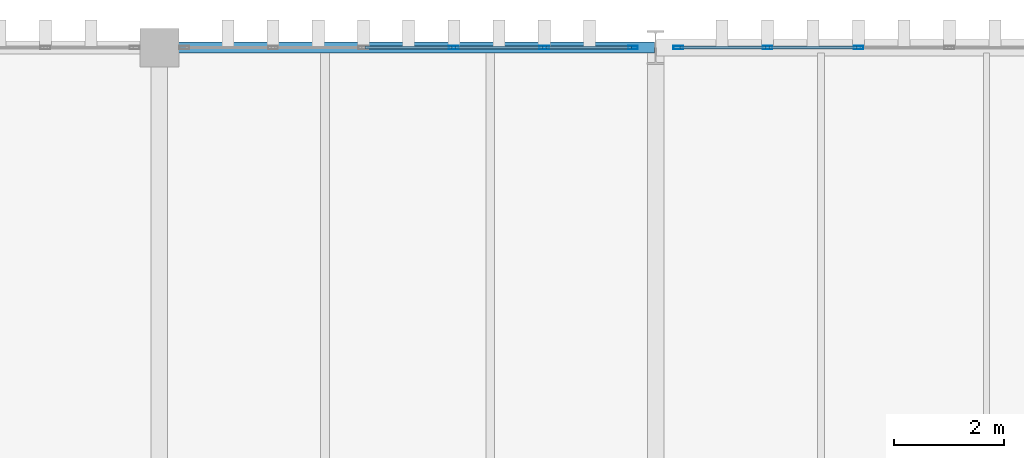
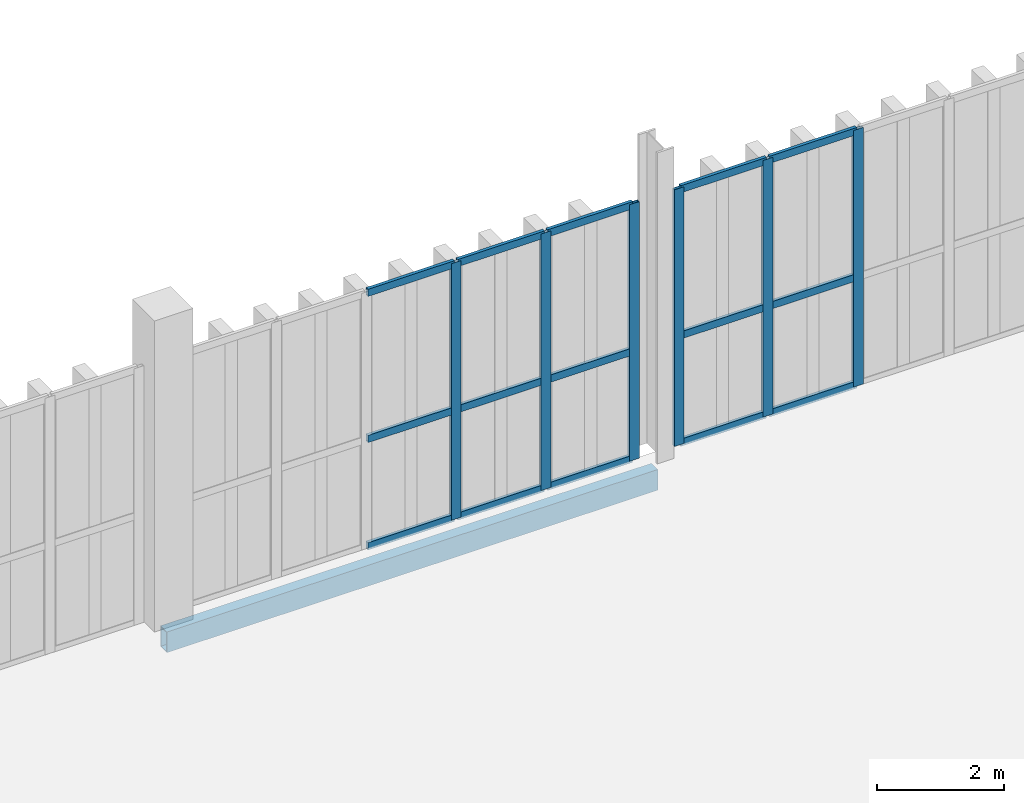
# One storey, part 145 of 211: 21 members, 1 beam, 2 elements without a shape of their own.
"""IFC4 building model written with IfcOpenShell, lengths in metres."""

from ifc_helpers import new_model, si_unit, direction, frame, origin, origin_2d, place, context, subcontext, project, spatial, hollow_rectangle, extrude, material, layer, layer_set, material_profile, profile_set, type_object, element, aggregate, save


model = new_model("IFC4")

# Units and contexts
model_context = context("Model", 3, precision=1e-05, world=origin(), true_north=direction((0.0, 1.0)))
body_context = subcontext(model_context, "Body", "Model", "MODEL_VIEW")
ifc_project = project(units=[si_unit("LENGTHUNIT", "METRE"), si_unit("AREAUNIT", "SQUARE_METRE"), si_unit("VOLUMEUNIT", "CUBIC_METRE"), si_unit("PLANEANGLEUNIT", "RADIAN"), si_unit("MASSUNIT", "GRAM", prefix="KILO")], contexts=[model_context])

# Site, building, storey
site_placement = place(None, origin())
site = spatial("IfcSite", under=ifc_project, at=site_placement, CompositionType="ELEMENT")
building_placement = place(site_placement, origin())
building = spatial("IfcBuilding", under=site, at=building_placement, Name="Barlavento Convention Centre", CompositionType="ELEMENT")
storey_placement = place(building_placement, frame((0.0, 0.0, 6.0)))
storey = spatial("IfcBuildingStorey", under=building, at=storey_placement, Name="L01", CompositionType="ELEMENT", Elevation=6.0)

# Curtain wall, members
ifc_material_1 = material(Name="Powder-coated aluminium and Low-E glass", Category="aluminium")
ifc_layer = layer(ifc_material_1, 0.179931640625)
ifc_layer_set = layer_set([ifc_layer], Name="ARC-CW-EXH-L01")
curtain_wall_type = type_object("IfcCurtainWallType", Name="ARC-CW-EXH-L01", PredefinedType="NOTDEFINED", material=ifc_layer_set)
curtain_wall_1_placement = place(storey_placement, origin())
curtain_wall_1 = element("IfcCurtainWall", 1, at=curtain_wall_1_placement, inside=storey, type_object=curtain_wall_type, Name="L01 unitised curtain wall CW04", PredefinedType="NOTDEFINED")
ifc_material_2 = material(Name="Powder-coated aluminium", Category="aluminium")
ifc_material_profile_1 = material_profile(ifc_material_2, hollow_rectangle(XDim=0.06005859375, YDim=0.179931640625, WallThickness=0.0048828125, at=origin_2d()), Name="AL-MULL 60x180x5")
ifc_profile_set_1 = profile_set([ifc_material_profile_1], Name="Powder-coated aluminium")
member_type_1 = type_object("IfcMemberType", Name="ARC-CWM-60X180", PredefinedType="MULLION", material=ifc_profile_set_1)
member_1_placement = place(storey_placement, frame((86.340087890625, 135.0, 0.0), z_axis=(0.0, 0.0, 1.0), x_axis=(0.0, 1.0, 0.0)))
member_1 = element("IfcMember", 2, at=member_1_placement, type_object=member_type_1, Name="CW04 mullion 4", PredefinedType="MULLION", context=body_context, shape_type="SweptSolid", body=[
    extrude(hollow_rectangle(XDim=0.06005859375, YDim=0.179931640625, WallThickness=0.0048828125, at=origin_2d()), origin(), (0.0, 0.0, 1.0), 4.949951171875),
])
member_2_placement = place(storey_placement, frame((87.97998046875, 135.0, 0.0), z_axis=(0.0, 0.0, 1.0), x_axis=(0.0, 1.0, 0.0)))
member_2 = element("IfcMember", 3, at=member_2_placement, type_object=member_type_1, Name="CW04 mullion 5", PredefinedType="MULLION", context=body_context, shape_type="SweptSolid", body=[
    extrude(hollow_rectangle(XDim=0.06005859375, YDim=0.179931640625, WallThickness=0.0048828125, at=origin_2d()), origin(), (0.0, 0.0, 1.0), 4.949951171875),
])
member_3_placement = place(storey_placement, frame((89.590087890625, 135.0, 0.0), z_axis=(0.0, 0.0, 1.0), x_axis=(0.0, 1.0, 0.0)))
member_3 = element("IfcMember", 4, at=member_3_placement, type_object=member_type_1, Name="CW04 mullion 6", PredefinedType="MULLION", context=body_context, shape_type="SweptSolid", body=[
    extrude(hollow_rectangle(XDim=0.06005859375, YDim=0.179931640625, WallThickness=0.0048828125, at=origin_2d()), origin(), (0.0, 0.0, 1.0), 4.949951171875),
])

curtain_wall_2_placement = place(storey_placement, origin())
curtain_wall_2 = element("IfcCurtainWall", 5, at=curtain_wall_2_placement, inside=storey, type_object=curtain_wall_type, Name="L01 unitised curtain wall CW04", PredefinedType="NOTDEFINED")
member_4_placement = place(storey_placement, frame((90.409912109375, 135.0, 0.0), z_axis=(0.0, 0.0, 1.0), x_axis=(0.0, 1.0, 0.0)))
member_4 = element("IfcMember", 6, at=member_4_placement, type_object=member_type_1, Name="CW04 mullion 1", PredefinedType="MULLION", context=body_context, shape_type="SweptSolid", body=[
    extrude(hollow_rectangle(XDim=0.06005859375, YDim=0.179931640625, WallThickness=0.0048828125, at=origin_2d()), origin(), (0.0, 0.0, 1.0), 4.949951171875),
])
member_5_placement = place(storey_placement, frame((92.030029296875, 135.0, 0.0), z_axis=(0.0, 0.0, 1.0), x_axis=(0.0, 1.0, 0.0)))
member_5 = element("IfcMember", 7, at=member_5_placement, type_object=member_type_1, Name="CW04 mullion 2", PredefinedType="MULLION", context=body_context, shape_type="SweptSolid", body=[
    extrude(hollow_rectangle(XDim=0.06005859375, YDim=0.179931640625, WallThickness=0.0048828125, at=origin_2d()), origin(), (0.0, 0.0, 1.0), 4.949951171875),
])
member_6_placement = place(storey_placement, frame((93.679931640625, 135.0, 0.0), z_axis=(0.0, 0.0, 1.0), x_axis=(0.0, 1.0, 0.0)))
member_6 = element("IfcMember", 8, at=member_6_placement, type_object=member_type_1, Name="CW04 mullion 3", PredefinedType="MULLION", context=body_context, shape_type="SweptSolid", body=[
    extrude(hollow_rectangle(XDim=0.06005859375, YDim=0.179931640625, WallThickness=0.0048828125, at=origin_2d()), origin(), (0.0, 0.0, 1.0), 4.949951171875),
])

# Member
ifc_material_profile_2 = material_profile(ifc_material_2, hollow_rectangle(XDim=0.06005859375, YDim=0.139892578125, WallThickness=0.00390625, at=origin_2d()), Name="AL-TRAN 60x140x4")
ifc_profile_set_2 = profile_set([ifc_material_profile_2], Name="Powder-coated aluminium")
member_type_2 = type_object("IfcMemberType", Name="ARC-CWT-60X140", PredefinedType="USERDEFINED", material=ifc_profile_set_2)
member_7_placement = place(storey_placement, frame((84.72998046875, 135.0, 0.030029296875), z_axis=(1.0, 0.0, 0.0), x_axis=(0.0, 1.0, 0.0)))
member_7 = element("IfcMember", 9, at=member_7_placement, type_object=member_type_2, Name="CW04 transom 3.1", ObjectType="TRANSOM", PredefinedType="USERDEFINED", context=body_context, shape_type="SweptSolid", body=[
    extrude(hollow_rectangle(XDim=0.06005859375, YDim=0.139892578125, WallThickness=0.00390625, at=origin_2d()), origin(), (0.0, 0.0, 1.0), 1.580078125),
])

member_8_placement = place(storey_placement, frame((84.72998046875, 135.0, 2.10009765625), z_axis=(1.0, 0.0, 0.0), x_axis=(0.0, 1.0, 0.0)))
member_8 = element("IfcMember", 10, at=member_8_placement, type_object=member_type_2, Name="CW04 transom 3.2", ObjectType="TRANSOM", PredefinedType="USERDEFINED", context=body_context, shape_type="SweptSolid", body=[
    extrude(hollow_rectangle(XDim=0.06005859375, YDim=0.139892578125, WallThickness=0.00390625, at=origin_2d()), origin(), (0.0, 0.0, 1.0), 1.580078125),
])

member_9_placement = place(storey_placement, frame((84.72998046875, 135.0, 4.919921875), z_axis=(1.0, 0.0, 0.0), x_axis=(0.0, 1.0, 0.0)))
member_9 = element("IfcMember", 11, at=member_9_placement, type_object=member_type_2, Name="CW04 transom 3.3", ObjectType="TRANSOM", PredefinedType="USERDEFINED", context=body_context, shape_type="SweptSolid", body=[
    extrude(hollow_rectangle(XDim=0.06005859375, YDim=0.139892578125, WallThickness=0.00390625, at=origin_2d()), origin(), (0.0, 0.0, 1.0), 1.580078125),
])

member_10_placement = place(storey_placement, frame((86.3701171875, 135.0, 0.030029296875), z_axis=(1.0, 0.0, 0.0), x_axis=(0.0, 1.0, 0.0)))
member_10 = element("IfcMember", 12, at=member_10_placement, type_object=member_type_2, Name="CW04 transom 4.1", ObjectType="TRANSOM", PredefinedType="USERDEFINED", context=body_context, shape_type="SweptSolid", body=[
    extrude(hollow_rectangle(XDim=0.06005859375, YDim=0.139892578125, WallThickness=0.00390625, at=origin_2d()), origin(), (0.0, 0.0, 1.0), 1.579833984375),
])

member_11_placement = place(storey_placement, frame((86.3701171875, 135.0, 2.10009765625), z_axis=(1.0, 0.0, 0.0), x_axis=(0.0, 1.0, 0.0)))
member_11 = element("IfcMember", 13, at=member_11_placement, type_object=member_type_2, Name="CW04 transom 4.2", ObjectType="TRANSOM", PredefinedType="USERDEFINED", context=body_context, shape_type="SweptSolid", body=[
    extrude(hollow_rectangle(XDim=0.06005859375, YDim=0.139892578125, WallThickness=0.00390625, at=origin_2d()), origin(), (0.0, 0.0, 1.0), 1.579833984375),
])

member_12_placement = place(storey_placement, frame((86.3701171875, 135.0, 4.919921875), z_axis=(1.0, 0.0, 0.0), x_axis=(0.0, 1.0, 0.0)))
member_12 = element("IfcMember", 14, at=member_12_placement, type_object=member_type_2, Name="CW04 transom 4.3", ObjectType="TRANSOM", PredefinedType="USERDEFINED", context=body_context, shape_type="SweptSolid", body=[
    extrude(hollow_rectangle(XDim=0.06005859375, YDim=0.139892578125, WallThickness=0.00390625, at=origin_2d()), origin(), (0.0, 0.0, 1.0), 1.579833984375),
])

member_13_placement = place(storey_placement, frame((88.010009765625, 135.0, 0.030029296875), z_axis=(1.0, 0.0, 0.0), x_axis=(0.0, 1.0, 0.0)))
member_13 = element("IfcMember", 15, at=member_13_placement, type_object=member_type_2, Name="CW04 transom 5.1", ObjectType="TRANSOM", PredefinedType="USERDEFINED", context=body_context, shape_type="SweptSolid", body=[
    extrude(hollow_rectangle(XDim=0.06005859375, YDim=0.139892578125, WallThickness=0.00390625, at=origin_2d()), origin(), (0.0, 0.0, 1.0), 1.550048828125),
])

member_14_placement = place(storey_placement, frame((88.010009765625, 135.0, 2.10009765625), z_axis=(1.0, 0.0, 0.0), x_axis=(0.0, 1.0, 0.0)))
member_14 = element("IfcMember", 16, at=member_14_placement, type_object=member_type_2, Name="CW04 transom 5.2", ObjectType="TRANSOM", PredefinedType="USERDEFINED", context=body_context, shape_type="SweptSolid", body=[
    extrude(hollow_rectangle(XDim=0.06005859375, YDim=0.139892578125, WallThickness=0.00390625, at=origin_2d()), origin(), (0.0, 0.0, 1.0), 1.550048828125),
])

member_15_placement = place(storey_placement, frame((88.010009765625, 135.0, 4.919921875), z_axis=(1.0, 0.0, 0.0), x_axis=(0.0, 1.0, 0.0)))
member_15 = element("IfcMember", 17, at=member_15_placement, type_object=member_type_2, Name="CW04 transom 5.3", ObjectType="TRANSOM", PredefinedType="USERDEFINED", context=body_context, shape_type="SweptSolid", body=[
    extrude(hollow_rectangle(XDim=0.06005859375, YDim=0.139892578125, WallThickness=0.00390625, at=origin_2d()), origin(), (0.0, 0.0, 1.0), 1.550048828125),
])

aggregate(curtain_wall_1, [member_1, member_2, member_3, member_7, member_8, member_9, member_10, member_11, member_12, member_13, member_14, member_15])

member_16_placement = place(storey_placement, frame((90.43994140625, 135.0, 0.030029296875), z_axis=(1.0, 0.0, 0.0), x_axis=(0.0, 1.0, 0.0)))
member_16 = element("IfcMember", 18, at=member_16_placement, type_object=member_type_2, Name="CW04 transom 1.1", ObjectType="TRANSOM", PredefinedType="USERDEFINED", context=body_context, shape_type="SweptSolid", body=[
    extrude(hollow_rectangle(XDim=0.06005859375, YDim=0.139892578125, WallThickness=0.00390625, at=origin_2d()), origin(), (0.0, 0.0, 1.0), 1.56005859375),
])

member_17_placement = place(storey_placement, frame((90.43994140625, 135.0, 2.10009765625), z_axis=(1.0, 0.0, 0.0), x_axis=(0.0, 1.0, 0.0)))
member_17 = element("IfcMember", 19, at=member_17_placement, type_object=member_type_2, Name="CW04 transom 1.2", ObjectType="TRANSOM", PredefinedType="USERDEFINED", context=body_context, shape_type="SweptSolid", body=[
    extrude(hollow_rectangle(XDim=0.06005859375, YDim=0.139892578125, WallThickness=0.00390625, at=origin_2d()), origin(), (0.0, 0.0, 1.0), 1.56005859375),
])

member_18_placement = place(storey_placement, frame((90.43994140625, 135.0, 4.919921875), z_axis=(1.0, 0.0, 0.0), x_axis=(0.0, 1.0, 0.0)))
member_18 = element("IfcMember", 20, at=member_18_placement, type_object=member_type_2, Name="CW04 transom 1.3", ObjectType="TRANSOM", PredefinedType="USERDEFINED", context=body_context, shape_type="SweptSolid", body=[
    extrude(hollow_rectangle(XDim=0.06005859375, YDim=0.139892578125, WallThickness=0.00390625, at=origin_2d()), origin(), (0.0, 0.0, 1.0), 1.56005859375),
])

member_19_placement = place(storey_placement, frame((92.06005859375, 135.0, 0.030029296875), z_axis=(1.0, 0.0, 0.0), x_axis=(0.0, 1.0, 0.0)))
member_19 = element("IfcMember", 21, at=member_19_placement, type_object=member_type_2, Name="CW04 transom 2.1", ObjectType="TRANSOM", PredefinedType="USERDEFINED", context=body_context, shape_type="SweptSolid", body=[
    extrude(hollow_rectangle(XDim=0.06005859375, YDim=0.139892578125, WallThickness=0.00390625, at=origin_2d()), origin(), (0.0, 0.0, 1.0), 1.58984375),
])

member_20_placement = place(storey_placement, frame((92.06005859375, 135.0, 2.10009765625), z_axis=(1.0, 0.0, 0.0), x_axis=(0.0, 1.0, 0.0)))
member_20 = element("IfcMember", 22, at=member_20_placement, type_object=member_type_2, Name="CW04 transom 2.2", ObjectType="TRANSOM", PredefinedType="USERDEFINED", context=body_context, shape_type="SweptSolid", body=[
    extrude(hollow_rectangle(XDim=0.06005859375, YDim=0.139892578125, WallThickness=0.00390625, at=origin_2d()), origin(), (0.0, 0.0, 1.0), 1.58984375),
])

member_21_placement = place(storey_placement, frame((92.06005859375, 135.0, 4.919921875), z_axis=(1.0, 0.0, 0.0), x_axis=(0.0, 1.0, 0.0)))
member_21 = element("IfcMember", 23, at=member_21_placement, type_object=member_type_2, Name="CW04 transom 2.3", ObjectType="TRANSOM", PredefinedType="USERDEFINED", context=body_context, shape_type="SweptSolid", body=[
    extrude(hollow_rectangle(XDim=0.06005859375, YDim=0.139892578125, WallThickness=0.00390625, at=origin_2d()), origin(), (0.0, 0.0, 1.0), 1.58984375),
])

aggregate(curtain_wall_2, [member_4, member_5, member_6, member_16, member_17, member_18, member_19, member_20, member_21])

# Beam
ifc_material_3 = material(Name="Steel S355", Category="steel")
ifc_material_profile_3 = material_profile(ifc_material_3, hollow_rectangle(XDim=0.199951171875, YDim=0.39990234375, WallThickness=0.01611328125, at=origin_2d()), Name="RHS 400x200x16.0")
ifc_profile_set_3 = profile_set([ifc_material_profile_3], Name="Steel S355")
beam_type = type_object("IfcBeamType", Name="STR-BM-SPN-RHS400", PredefinedType="SPANDREL", material=ifc_profile_set_3)
beam_placement = place(storey_placement, frame((81.02001953125, 135.0, -0.47998046875), z_axis=(1.0, 0.0, 0.0), x_axis=(0.0, 1.0, 0.0)))
element("IfcBeam", 24, at=beam_placement, inside=storey, type_object=beam_type, Name="L01 primary girder SP06", PredefinedType="SPANDREL", context=body_context, shape_type="SweptSolid", body=[
    extrude(hollow_rectangle(XDim=0.199951171875, YDim=0.39990234375, WallThickness=0.01611328125, at=origin_2d()), origin(), (0.0, 0.0, 1.0), 8.9599609375),
])

save(model, "model.ifc")
